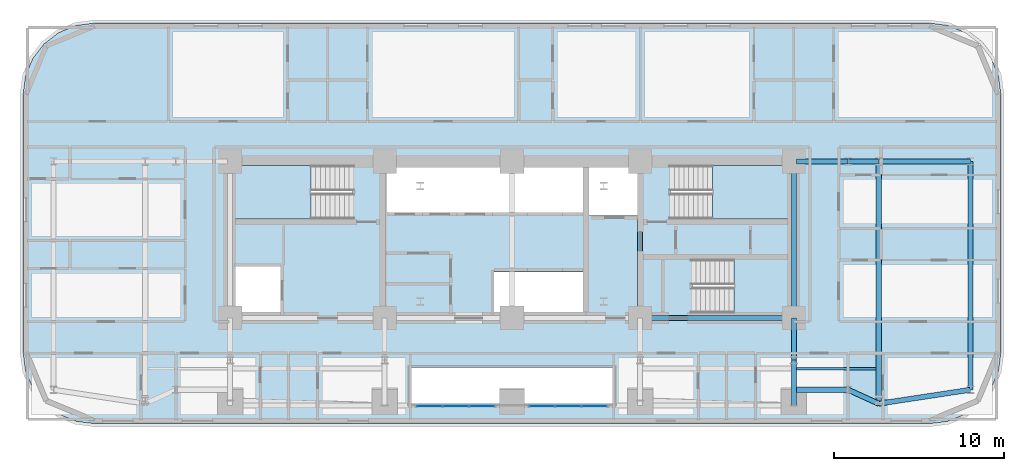
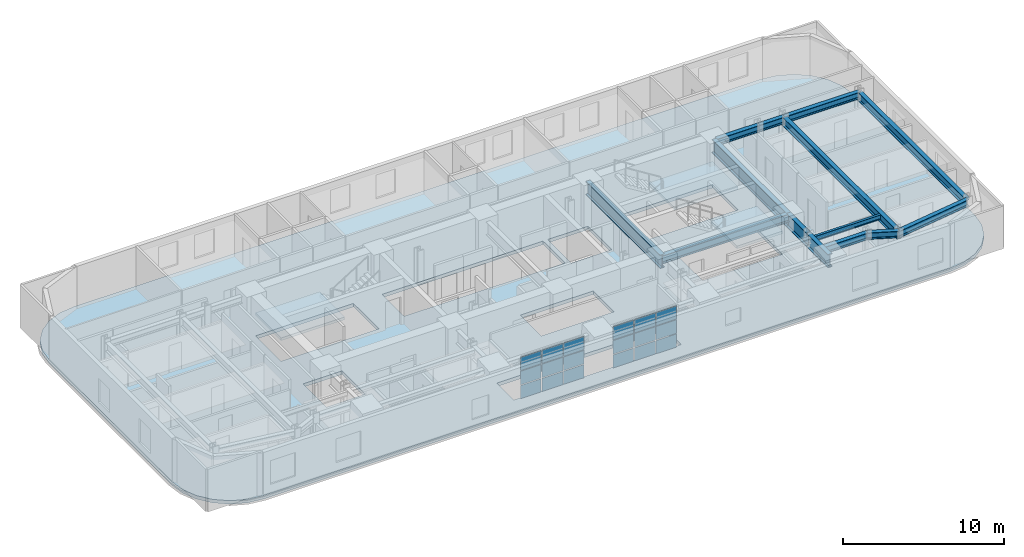
# One storey, part 5 of 15: 18 plates, 14 beams, 4 slabs, 5 elements without a shape of their own.
"""IFC4 building model written with IfcOpenShell, lengths in metres."""

from ifc_helpers import new_model, si_unit, direction, frame, origin, origin_2d, place, context, subcontext, project, spatial, polyline, rectangle, i_section, outline, extrude, material, layer, layer_set, material_profile, profile_set, type_object, element, aggregate, save


model = new_model("IFC4")

# Units and contexts
model_context = context("Model", 3, precision=1e-05, world=origin(), true_north=direction((0.0, 1.0)))
body_context = subcontext(model_context, "Body", "Model", "MODEL_VIEW")
ifc_project = project(units=[si_unit("LENGTHUNIT", "METRE"), si_unit("AREAUNIT", "SQUARE_METRE"), si_unit("VOLUMEUNIT", "CUBIC_METRE"), si_unit("PLANEANGLEUNIT", "RADIAN"), si_unit("MASSUNIT", "GRAM", prefix="KILO")], contexts=[model_context])

# Site, building, storey
site_placement = place(None, origin())
site = spatial("IfcSite", under=ifc_project, at=site_placement, CompositionType="ELEMENT")
building_placement = place(site_placement, origin())
building = spatial("IfcBuilding", under=site, at=building_placement, Name="Zarnavel Station Tower", CompositionType="ELEMENT")
storey_placement = place(building_placement, frame((0.0, 0.0, 36.0)))
storey = spatial("IfcBuildingStorey", under=building, at=storey_placement, Name="L09", CompositionType="ELEMENT", Elevation=36.0)

# Beams
ifc_material_1 = material(Name="Steel S355J2", Category="steel")
ifc_material_profile_1 = material_profile(ifc_material_1, i_section(OverallWidth=0.300048828125, OverallDepth=0.5, WebThickness=0.014404296875, FlangeThickness=0.028076171875, FilletRadius=0.027099609375, at=origin_2d()), Name="HEB500")
ifc_profile_set_1 = profile_set([ifc_material_profile_1], Name="Steel S355J2")
beam_type_1 = type_object("IfcBeamType", Name="FG_HEB500", PredefinedType="USERDEFINED", material=ifc_profile_set_1)
for number, where, z_axis, x_axis, name in (
    (1, (45.544921875, 23.60009765625, 2.989990234375), (1.0, 0.0, 0.0), (0.0, 1.0, 0.0), "L09 East Wing South Tie 1"),
    (2, (45.544921875, 37.050048828125, 2.989990234375), (1.0, 0.0, 0.0), (0.0, 1.0, 0.0), "L09 East Wing North Tie 1"),
):
    element("IfcBeam", number, at=place(storey_placement, frame(where, z_axis=z_axis, x_axis=x_axis)), inside=storey, type_object=beam_type_1, Name=name, ObjectType="GIRDER", PredefinedType="USERDEFINED", context=body_context, shape_type="SweptSolid", body=[
        extrude(i_section(OverallWidth=0.300048828125, OverallDepth=0.5, WebThickness=0.014404296875, FlangeThickness=0.028076171875, FilletRadius=0.027099609375, at=origin_2d()), origin(), (0.0, 0.0, 1.0), 3.05517578125),
    ])
beam_1_placement = place(storey_placement, frame((48.60009765625, 23.60009765625, 2.989990234375), z_axis=(0.909850112922, -0.414937069946, 0.0), x_axis=(0.414937069946, 0.909850112922, 0.0)))
element("IfcBeam", 3, at=beam_1_placement, inside=storey, type_object=beam_type_1, Name="L09 East Wing South Tie 2", ObjectType="GIRDER", PredefinedType="USERDEFINED", context=body_context, shape_type="SweptSolid", body=[
    extrude(i_section(OverallWidth=0.300048828125, OverallDepth=0.5, WebThickness=0.014404296875, FlangeThickness=0.028076171875, FilletRadius=0.027099609375, at=origin_2d()), origin(), (0.0, 0.0, 1.0), 1.97802734375),
])
beam_2_placement = place(storey_placement, frame((48.60009765625, 37.050048828125, 2.989990234375), z_axis=(1.0, 0.0, 0.0), x_axis=(0.0, 1.0, 0.0)))
element("IfcBeam", 4, at=beam_2_placement, inside=storey, type_object=beam_type_1, Name="L09 East Wing North Tie 2", ObjectType="GIRDER", PredefinedType="USERDEFINED", context=body_context, shape_type="SweptSolid", body=[
    extrude(i_section(OverallWidth=0.300048828125, OverallDepth=0.5, WebThickness=0.014404296875, FlangeThickness=0.028076171875, FilletRadius=0.027099609375, at=origin_2d()), origin(), (0.0, 0.0, 1.0), 1.7998046875),
])
beam_3_placement = place(storey_placement, frame((50.39990234375, 22.779296875, 2.989990234375), z_axis=(0.988644979737, 0.150270103616, 0.0), x_axis=(-0.150270103616, 0.988644979737, 0.0)))
element("IfcBeam", 5, at=beam_3_placement, inside=storey, type_object=beam_type_1, Name="L09 East Wing South Tie 3", ObjectType="GIRDER", PredefinedType="USERDEFINED", context=body_context, shape_type="SweptSolid", body=[
    extrude(i_section(OverallWidth=0.300048828125, OverallDepth=0.5, WebThickness=0.014404296875, FlangeThickness=0.028076171875, FilletRadius=0.027099609375, at=origin_2d()), origin(), (0.0, 0.0, 1.0), 5.462158203125),
])
beam_4_placement = place(storey_placement, frame((50.39990234375, 37.050048828125, 2.989990234375), z_axis=(1.0, 0.0, 0.0), x_axis=(0.0, 1.0, 0.0)))
element("IfcBeam", 6, at=beam_4_placement, inside=storey, type_object=beam_type_1, Name="L09 East Wing North Tie 3", ObjectType="GIRDER", PredefinedType="USERDEFINED", context=body_context, shape_type="SweptSolid", body=[
    extrude(i_section(OverallWidth=0.300048828125, OverallDepth=0.5, WebThickness=0.014404296875, FlangeThickness=0.028076171875, FilletRadius=0.027099609375, at=origin_2d()), origin(), (0.0, 0.0, 1.0), 5.400146484375),
])
ifc_material_2 = material(Name="Steel S355J2", Category="steel")
ifc_material_profile_2 = material_profile(ifc_material_2, i_section(OverallWidth=0.300048828125, OverallDepth=0.60009765625, WebThickness=0.015380859375, FlangeThickness=0.030029296875, FilletRadius=0.027099609375, at=origin_2d()), Name="HEB600")
ifc_profile_set_2 = profile_set([ifc_material_profile_2], Name="Steel S355J2")
beam_type_2 = type_object("IfcBeamType", Name="FG_HEB600", PredefinedType="USERDEFINED", material=ifc_profile_set_2)
beam_5_placement = place(storey_placement, frame((36.35009765625, 27.820068359375, 2.93994140625), z_axis=(1.0, 0.0, 0.0), x_axis=(0.0, 1.0, 0.0)))
element("IfcBeam", 7, at=beam_5_placement, inside=storey, type_object=beam_type_2, Name="L09 Core Front Coupling Beam 4", ObjectType="GIRDER", PredefinedType="USERDEFINED", context=body_context, shape_type="SweptSolid", body=[
    extrude(i_section(OverallWidth=0.300048828125, OverallDepth=0.60009765625, WebThickness=0.015380859375, FlangeThickness=0.030029296875, FilletRadius=0.027099609375, at=origin_2d()), origin(), (0.0, 0.0, 1.0), 9.0498046875),
])
ifc_material_3 = material(Name="Steel S355J2", Category="steel")
ifc_material_profile_3 = material_profile(ifc_material_3, i_section(OverallWidth=0.300048828125, OverallDepth=0.64990234375, WebThickness=0.01611328125, FlangeThickness=0.031005859375, FilletRadius=0.027099609375, at=origin_2d()), Name="HEB650")
ifc_profile_set_3 = profile_set([ifc_material_profile_3], Name="Steel S355J2")
beam_type_3 = type_object("IfcBeamType", Name="FG_HEB650", PredefinedType="USERDEFINED", material=ifc_profile_set_3)
beam_6_placement = place(storey_placement, frame((50.39990234375, 22.779296875, 2.9150390625), z_axis=(0.0, 1.0, 0.0), x_axis=(-1.0, 0.0, 0.0)))
element("IfcBeam", 8, at=beam_6_placement, inside=storey, type_object=beam_type_3, Name="L09 Wing NS Girder 3", ObjectType="GIRDER", PredefinedType="USERDEFINED", context=body_context, shape_type="SweptSolid", body=[
    extrude(i_section(OverallWidth=0.300048828125, OverallDepth=0.64990234375, WebThickness=0.01611328125, FlangeThickness=0.031005859375, FilletRadius=0.027099609375, at=origin_2d()), origin(), (0.0, 0.0, 1.0), 14.270751953125),
])
beam_7_placement = place(storey_placement, frame((55.800048828125, 23.60009765625, 2.9150390625), z_axis=(0.0, 1.0, 0.0), x_axis=(-1.0, 0.0, 0.0)))
element("IfcBeam", 9, at=beam_7_placement, inside=storey, type_object=beam_type_3, Name="L09 Wing NS Girder 4", ObjectType="GIRDER", PredefinedType="USERDEFINED", context=body_context, shape_type="SweptSolid", body=[
    extrude(i_section(OverallWidth=0.300048828125, OverallDepth=0.64990234375, WebThickness=0.01611328125, FlangeThickness=0.031005859375, FilletRadius=0.027099609375, at=origin_2d()), origin(), (0.0, 0.0, 1.0), 13.449951171875),
])
ifc_material_4 = material(Name="Steel S355J2", Category="steel")
ifc_material_profile_4 = material_profile(ifc_material_4, i_section(OverallWidth=0.169921875, OverallDepth=0.360107421875, WebThickness=0.008056640625, FlangeThickness=0.0126953125, FilletRadius=0.01806640625, at=origin_2d()), Name="IPE360")
ifc_profile_set_4 = profile_set([ifc_material_profile_4], Name="Steel S355J2")
beam_type_4 = type_object("IfcBeamType", Name="FJ_IPE360", PredefinedType="JOIST", material=ifc_profile_set_4)
beam_8_placement = place(storey_placement, frame((45.544921875, 24.8408203125, 3.06005859375), z_axis=(1.0, 0.0, 0.0), x_axis=(0.0, 1.0, 0.0)))
element("IfcBeam", 10, at=beam_8_placement, inside=storey, type_object=beam_type_4, Name="L09 East Wing Joist 2", PredefinedType="JOIST", context=body_context, shape_type="SweptSolid", body=[
    extrude(i_section(OverallWidth=0.169921875, OverallDepth=0.360107421875, WebThickness=0.008056640625, FlangeThickness=0.0126953125, FilletRadius=0.01806640625, at=origin_2d()), origin(), (0.0, 0.0, 1.0), 4.7099609375),
])
ifc_material_5 = material(Name="Steel S460M", Category="steel")
ifc_material_profile_5 = material_profile(ifc_material_5, i_section(OverallWidth=0.302001953125, OverallDepth=1.008056640625, WebThickness=0.02099609375, FlangeThickness=0.0400390625, FilletRadius=0.030029296875, at=origin_2d()), Name="HEM1000")
ifc_profile_set_5 = profile_set([ifc_material_profile_5], Name="Steel S460M")
beam_type_5 = type_object("IfcBeamType", Name="TG_HEM1000", PredefinedType="USERDEFINED", material=ifc_profile_set_5)
for number, where, z_axis, x_axis, name in (
    (11, (36.35009765625, 27.820068359375, 2.736083984375), (0.0, 1.0, 0.0), (-1.0, 0.0, 0.0), "L09 Core Spine Coupling Girder 4"),
    (12, (45.39990234375, 27.820068359375, 2.736083984375), (0.0, 1.0, 0.0), (-1.0, 0.0, 0.0), "L09 Core Spine Coupling Girder 5"),
):
    element("IfcBeam", number, at=place(storey_placement, frame(where, z_axis=z_axis, x_axis=x_axis)), inside=storey, type_object=beam_type_5, Name=name, ObjectType="GIRDER", PredefinedType="USERDEFINED", context=body_context, shape_type="SweptSolid", body=[
        extrude(i_section(OverallWidth=0.302001953125, OverallDepth=1.008056640625, WebThickness=0.02099609375, FlangeThickness=0.0400390625, FilletRadius=0.030029296875, at=origin_2d()), origin(), (0.0, 0.0, 1.0), 9.22998046875),
    ])
beam_9_placement = place(storey_placement, frame((45.39990234375, 22.672119140625, 2.736083984375), z_axis=(0.0, 1.0, 0.0), x_axis=(-1.0, 0.0, 0.0)))
element("IfcBeam", 13, at=beam_9_placement, inside=storey, type_object=beam_type_5, Name="L09 South-Zone NS Girder 5", ObjectType="GIRDER", PredefinedType="USERDEFINED", context=body_context, shape_type="SweptSolid", body=[
    extrude(i_section(OverallWidth=0.302001953125, OverallDepth=1.008056640625, WebThickness=0.02099609375, FlangeThickness=0.0400390625, FilletRadius=0.030029296875, at=origin_2d()), origin(), (0.0, 0.0, 1.0), 2.677978515625),
])
beam_10_placement = place(storey_placement, frame((45.39990234375, 25.35009765625, 2.736083984375), z_axis=(0.0, 1.0, 0.0), x_axis=(-1.0, 0.0, 0.0)))
element("IfcBeam", 14, at=beam_10_placement, inside=storey, type_object=beam_type_5, Name="L09 Inner-Zone NS Girder 5", ObjectType="GIRDER", PredefinedType="USERDEFINED", context=body_context, shape_type="SweptSolid", body=[
    extrude(i_section(OverallWidth=0.302001953125, OverallDepth=1.008056640625, WebThickness=0.02099609375, FlangeThickness=0.0400390625, FilletRadius=0.030029296875, at=origin_2d()), origin(), (0.0, 0.0, 1.0), 2.469970703125),
])

# Curtain wall, plates
ifc_material_6 = material(Name="Aluminium Dark Anodised and Solar-Control Glass", Category="aluminium")
ifc_layer_1 = layer(ifc_material_6, 0.179931640625)
ifc_layer_set_1 = layer_set([ifc_layer_1], Name="CWS2")
curtain_wall_type = type_object("IfcCurtainWallType", Name="CWS2", PredefinedType="NOTDEFINED", material=ifc_layer_set_1)
curtain_wall_1_placement = place(storey_placement, origin())
curtain_wall_1 = element("IfcCurtainWall", 15, at=curtain_wall_1_placement, inside=storey, type_object=curtain_wall_type, Name="L09 Curtain Wall CWS2-L09-AS-S1", PredefinedType="NOTDEFINED")
ifc_material_7 = material(Name="Double Low-E Dark Solar-Control Glass", Category="glass")
ifc_layer_2 = layer(ifc_material_7, 0.028076171875)
ifc_layer_set_2 = layer_set([ifc_layer_2], Name="CWS2_PNL")
plate_type = type_object("IfcPlateType", Name="CWS2_PNL", PredefinedType="CURTAIN_PANEL", material=ifc_layer_set_2)
plate_1_placement = place(storey_placement, frame((23.943359375, 22.64990234375, 0.06005859375), z_axis=(0.0, 0.0, 1.0), x_axis=(1.0, 0.0, 0.0)))
plate_1 = element("IfcPlate", 16, at=plate_1_placement, type_object=plate_type, Name="CW2 panel 1.1", PredefinedType="CURTAIN_PANEL", context=body_context, shape_type="SweptSolid", body=[
    extrude(rectangle(XDim=1.466552734375, YDim=0.028076171875, at=origin_2d()), origin(), (0.0, 0.0, 1.0), 0.989990234375),
])
plate_2_placement = place(storey_placement, frame((23.943359375, 22.64990234375, 1.110107421875), z_axis=(0.0, 0.0, 1.0), x_axis=(1.0, 0.0, 0.0)))
plate_2 = element("IfcPlate", 17, at=plate_2_placement, type_object=plate_type, Name="CW2 panel 1.2", PredefinedType="CURTAIN_PANEL", context=body_context, shape_type="SweptSolid", body=[
    extrude(rectangle(XDim=1.466552734375, YDim=0.028076171875, at=origin_2d()), origin(), (0.0, 0.0, 1.0), 1.02001953125),
])
plate_3_placement = place(storey_placement, frame((23.943359375, 22.64990234375, 2.18994140625), z_axis=(0.0, 0.0, 1.0), x_axis=(1.0, 0.0, 0.0)))
plate_3 = element("IfcPlate", 18, at=plate_3_placement, type_object=plate_type, Name="CW2 panel 1.3", PredefinedType="CURTAIN_PANEL", context=body_context, shape_type="SweptSolid", body=[
    extrude(rectangle(XDim=1.466552734375, YDim=0.028076171875, at=origin_2d()), origin(), (0.0, 0.0, 1.0), 0.989990234375),
])
plate_4_placement = place(storey_placement, frame((25.485107421875, 22.64990234375, 0.06005859375), z_axis=(0.0, 0.0, 1.0), x_axis=(1.0, 0.0, 0.0)))
plate_4 = element("IfcPlate", 19, at=plate_4_placement, type_object=plate_type, Name="CW2 panel 2.1", PredefinedType="CURTAIN_PANEL", context=body_context, shape_type="SweptSolid", body=[
    extrude(rectangle(XDim=1.49658203125, YDim=0.028076171875, at=origin_2d()), origin(), (0.0, 0.0, 1.0), 0.989990234375),
])
plate_5_placement = place(storey_placement, frame((25.485107421875, 22.64990234375, 1.110107421875), z_axis=(0.0, 0.0, 1.0), x_axis=(1.0, 0.0, 0.0)))
plate_5 = element("IfcPlate", 20, at=plate_5_placement, type_object=plate_type, Name="CW2 panel 2.2", PredefinedType="CURTAIN_PANEL", context=body_context, shape_type="SweptSolid", body=[
    extrude(rectangle(XDim=1.49658203125, YDim=0.028076171875, at=origin_2d()), origin(), (0.0, 0.0, 1.0), 1.02001953125),
])
plate_6_placement = place(storey_placement, frame((25.485107421875, 22.64990234375, 2.18994140625), z_axis=(0.0, 0.0, 1.0), x_axis=(1.0, 0.0, 0.0)))
plate_6 = element("IfcPlate", 21, at=plate_6_placement, type_object=plate_type, Name="CW2 panel 2.3", PredefinedType="CURTAIN_PANEL", context=body_context, shape_type="SweptSolid", body=[
    extrude(rectangle(XDim=1.49658203125, YDim=0.028076171875, at=origin_2d()), origin(), (0.0, 0.0, 1.0), 0.989990234375),
])
plate_7_placement = place(storey_placement, frame((27.026611328125, 22.64990234375, 0.06005859375), z_axis=(0.0, 0.0, 1.0), x_axis=(1.0, 0.0, 0.0)))
plate_7 = element("IfcPlate", 22, at=plate_7_placement, type_object=plate_type, Name="CW2 panel 3.1", PredefinedType="CURTAIN_PANEL", context=body_context, shape_type="SweptSolid", body=[
    extrude(rectangle(XDim=1.466552734375, YDim=0.028076171875, at=origin_2d()), origin(), (0.0, 0.0, 1.0), 0.989990234375),
])
plate_8_placement = place(storey_placement, frame((27.026611328125, 22.64990234375, 1.110107421875), z_axis=(0.0, 0.0, 1.0), x_axis=(1.0, 0.0, 0.0)))
plate_8 = element("IfcPlate", 23, at=plate_8_placement, type_object=plate_type, Name="CW2 panel 3.2", PredefinedType="CURTAIN_PANEL", context=body_context, shape_type="SweptSolid", body=[
    extrude(rectangle(XDim=1.466552734375, YDim=0.028076171875, at=origin_2d()), origin(), (0.0, 0.0, 1.0), 1.02001953125),
])
plate_9_placement = place(storey_placement, frame((27.026611328125, 22.64990234375, 2.18994140625), z_axis=(0.0, 0.0, 1.0), x_axis=(1.0, 0.0, 0.0)))
plate_9 = element("IfcPlate", 24, at=plate_9_placement, type_object=plate_type, Name="CW2 panel 3.3", PredefinedType="CURTAIN_PANEL", context=body_context, shape_type="SweptSolid", body=[
    extrude(rectangle(XDim=1.466552734375, YDim=0.028076171875, at=origin_2d()), origin(), (0.0, 0.0, 1.0), 0.989990234375),
])
aggregate(curtain_wall_1, [plate_1, plate_2, plate_3, plate_4, plate_5, plate_6, plate_7, plate_8, plate_9])

curtain_wall_2_placement = place(storey_placement, origin())
curtain_wall_2 = element("IfcCurtainWall", 25, at=curtain_wall_2_placement, inside=storey, type_object=curtain_wall_type, Name="L09 Curtain Wall CWS2-L09-AS-S2", PredefinedType="NOTDEFINED")
plate_10_placement = place(storey_placement, frame((30.5732421875, 22.64990234375, 0.06005859375), z_axis=(0.0, 0.0, 1.0), x_axis=(1.0, 0.0, 0.0)))
plate_10 = element("IfcPlate", 26, at=plate_10_placement, type_object=plate_type, Name="CW2 panel 1.1", PredefinedType="CURTAIN_PANEL", context=body_context, shape_type="SweptSolid", body=[
    extrude(rectangle(XDim=1.466552734375, YDim=0.028076171875, at=origin_2d()), origin(), (0.0, 0.0, 1.0), 0.989990234375),
])
plate_11_placement = place(storey_placement, frame((30.5732421875, 22.64990234375, 1.110107421875), z_axis=(0.0, 0.0, 1.0), x_axis=(1.0, 0.0, 0.0)))
plate_11 = element("IfcPlate", 27, at=plate_11_placement, type_object=plate_type, Name="CW2 panel 1.2", PredefinedType="CURTAIN_PANEL", context=body_context, shape_type="SweptSolid", body=[
    extrude(rectangle(XDim=1.466552734375, YDim=0.028076171875, at=origin_2d()), origin(), (0.0, 0.0, 1.0), 1.02001953125),
])
plate_12_placement = place(storey_placement, frame((30.5732421875, 22.64990234375, 2.18994140625), z_axis=(0.0, 0.0, 1.0), x_axis=(1.0, 0.0, 0.0)))
plate_12 = element("IfcPlate", 28, at=plate_12_placement, type_object=plate_type, Name="CW2 panel 1.3", PredefinedType="CURTAIN_PANEL", context=body_context, shape_type="SweptSolid", body=[
    extrude(rectangle(XDim=1.466552734375, YDim=0.028076171875, at=origin_2d()), origin(), (0.0, 0.0, 1.0), 0.989990234375),
])
plate_13_placement = place(storey_placement, frame((32.114990234375, 22.64990234375, 0.06005859375), z_axis=(0.0, 0.0, 1.0), x_axis=(1.0, 0.0, 0.0)))
plate_13 = element("IfcPlate", 29, at=plate_13_placement, type_object=plate_type, Name="CW2 panel 2.1", PredefinedType="CURTAIN_PANEL", context=body_context, shape_type="SweptSolid", body=[
    extrude(rectangle(XDim=1.49658203125, YDim=0.028076171875, at=origin_2d()), origin(), (0.0, 0.0, 1.0), 0.989990234375),
])
plate_14_placement = place(storey_placement, frame((32.114990234375, 22.64990234375, 1.110107421875), z_axis=(0.0, 0.0, 1.0), x_axis=(1.0, 0.0, 0.0)))
plate_14 = element("IfcPlate", 30, at=plate_14_placement, type_object=plate_type, Name="CW2 panel 2.2", PredefinedType="CURTAIN_PANEL", context=body_context, shape_type="SweptSolid", body=[
    extrude(rectangle(XDim=1.49658203125, YDim=0.028076171875, at=origin_2d()), origin(), (0.0, 0.0, 1.0), 1.02001953125),
])
plate_15_placement = place(storey_placement, frame((32.114990234375, 22.64990234375, 2.18994140625), z_axis=(0.0, 0.0, 1.0), x_axis=(1.0, 0.0, 0.0)))
plate_15 = element("IfcPlate", 31, at=plate_15_placement, type_object=plate_type, Name="CW2 panel 2.3", PredefinedType="CURTAIN_PANEL", context=body_context, shape_type="SweptSolid", body=[
    extrude(rectangle(XDim=1.49658203125, YDim=0.028076171875, at=origin_2d()), origin(), (0.0, 0.0, 1.0), 0.989990234375),
])
plate_16_placement = place(storey_placement, frame((33.65673828125, 22.64990234375, 0.06005859375), z_axis=(0.0, 0.0, 1.0), x_axis=(1.0, 0.0, 0.0)))
plate_16 = element("IfcPlate", 32, at=plate_16_placement, type_object=plate_type, Name="CW2 panel 3.1", PredefinedType="CURTAIN_PANEL", context=body_context, shape_type="SweptSolid", body=[
    extrude(rectangle(XDim=1.466552734375, YDim=0.028076171875, at=origin_2d()), origin(), (0.0, 0.0, 1.0), 0.989990234375),
])
plate_17_placement = place(storey_placement, frame((33.65673828125, 22.64990234375, 1.110107421875), z_axis=(0.0, 0.0, 1.0), x_axis=(1.0, 0.0, 0.0)))
plate_17 = element("IfcPlate", 33, at=plate_17_placement, type_object=plate_type, Name="CW2 panel 3.2", PredefinedType="CURTAIN_PANEL", context=body_context, shape_type="SweptSolid", body=[
    extrude(rectangle(XDim=1.466552734375, YDim=0.028076171875, at=origin_2d()), origin(), (0.0, 0.0, 1.0), 1.02001953125),
])
plate_18_placement = place(storey_placement, frame((33.65673828125, 22.64990234375, 2.18994140625), z_axis=(0.0, 0.0, 1.0), x_axis=(1.0, 0.0, 0.0)))
plate_18 = element("IfcPlate", 34, at=plate_18_placement, type_object=plate_type, Name="CW2 panel 3.3", PredefinedType="CURTAIN_PANEL", context=body_context, shape_type="SweptSolid", body=[
    extrude(rectangle(XDim=1.466552734375, YDim=0.028076171875, at=origin_2d()), origin(), (0.0, 0.0, 1.0), 0.989990234375),
])
aggregate(curtain_wall_2, [plate_10, plate_11, plate_12, plate_13, plate_14, plate_15, plate_16, plate_17, plate_18])

# Slab
ifc_material_8 = material(Name="Concrete C45/55", Category="concrete")
ifc_layer_3 = layer(ifc_material_8, 0.260009765625)
ifc_layer_set_3 = layer_set([ifc_layer_3], Name="SL_FLR_260")
slab_type_1 = type_object("IfcSlabType", Name="SL_FLR_260", PredefinedType="FLOOR", material=ifc_layer_set_3)
slab_1_placement = place(storey_placement, frame((0.0, 0.0, -0.260009765625)))
element("IfcSlab", 35, at=slab_1_placement, inside=storey, type_object=slab_type_1, Name="L09 Structural Floor Slab", PredefinedType="FLOOR", context=body_context, shape_type="SweptSolid", body=[
    extrude(outline(polyline([(53.39990234375, 21.60009765625), (54.487060546875, 21.7431640625), (55.5, 22.16259765625), (56.369873046875, 22.830078125), (57.037353515625, 23.699951171875), (57.456787109375, 24.712890625), (57.60009765625, 25.800048828125), (57.60009765625, 41.0), (57.456787109375, 42.0869140625), (57.037353515625, 43.10009765625), (56.369873046875, 43.9697265625), (55.5, 44.63720703125), (54.487060546875, 45.056884765625), (53.39990234375, 45.199951171875), (4.199951171875, 45.199951171875), (3.113037109375, 45.056884765625), (2.10009765625, 44.63720703125), (1.230224609375, 43.9697265625), (0.562744140625, 43.10009765625), (0.14306640625, 42.0869140625), (0.0, 41.0), (0.0, 25.800048828125), (0.14306640625, 24.712890625), (0.562744140625, 23.699951171875), (1.230224609375, 22.830078125), (2.10009765625, 22.16259765625), (3.113037109375, 21.7431640625), (4.199951171875, 21.60009765625), (53.39990234375, 21.60009765625)]), holes=[polyline([(12.39990234375, 33.659912109375), (19.409912109375, 33.659912109375), (19.409912109375, 36.820068359375), (12.39990234375, 36.820068359375), (12.39990234375, 33.659912109375)]), polyline([(38.14990234375, 33.659912109375), (45.159912109375, 33.659912109375), (45.159912109375, 36.820068359375), (38.14990234375, 36.820068359375), (38.14990234375, 33.659912109375)]), polyline([(39.419921875, 28.1201171875), (45.14990234375, 28.1201171875), (45.14990234375, 31.280029296875), (39.419921875, 31.280029296875), (39.419921875, 28.1201171875)]), polyline([(12.35009765625, 27.949951171875), (15.14990234375, 27.949951171875), (15.14990234375, 30.85009765625), (12.35009765625, 30.85009765625), (12.35009765625, 27.949951171875)]), polyline([(33.320068359375, 33.85009765625), (36.2099609375, 33.85009765625), (36.2099609375, 36.780029296875), (33.320068359375, 36.780029296875), (33.320068359375, 33.85009765625)]), polyline([(21.449951171875, 34.050048828125), (32.97998046875, 34.050048828125), (32.97998046875, 36.780029296875), (21.449951171875, 36.780029296875), (21.449951171875, 34.050048828125)]), polyline([(27.75, 27.949951171875), (32.97998046875, 27.949951171875), (32.97998046875, 30.550048828125), (27.75, 30.550048828125), (27.75, 27.949951171875)]), polyline([(22.800048828125, 22.800048828125), (34.800048828125, 22.800048828125), (34.800048828125, 24.89990234375), (22.800048828125, 24.89990234375), (22.800048828125, 22.800048828125)])]), origin(), (0.0, 0.0, 1.0), 0.260009765625),
])

# Stair, slab
ifc_material_9 = material(Name="Concrete C45/55", Category="concrete")
stair_type = type_object("IfcStairType", Name="ST_CORE_150", PredefinedType="HALF_TURN_STAIR", material=ifc_material_9)
stair_1_placement = place(storey_placement, origin())
stair_1 = element("IfcStair", 36, at=stair_1_placement, inside=storey, type_object=stair_type, Name="L09 Core Exit Stair ST1", PredefinedType="HALF_TURN_STAIR")
ifc_material_10 = material(Name="Concrete C45/55", Category="concrete")
ifc_layer_4 = layer(ifc_material_10, 0.199951171875)
ifc_layer_set_4 = layer_set([ifc_layer_4], Name="SL_STAIR_LAND_200")
slab_type_2 = type_object("IfcSlabType", Name="SL_STAIR_LAND_200", PredefinedType="LANDING", material=ifc_layer_set_4)
slab_2_placement = place(storey_placement, frame((0.0, 0.0, 1.550048828125)))
slab_2 = element("IfcSlab", 37, at=slab_2_placement, type_object=slab_type_2, Name="ST1 landing 1", PredefinedType="LANDING", context=body_context, shape_type="SweptSolid", body=[
    extrude(outline(polyline([(16.9599609375, 36.820068359375), (12.39990234375, 36.820068359375), (12.39990234375, 33.659912109375), (16.9599609375, 33.659912109375), (16.9599609375, 36.820068359375)])), origin(), (0.0, 0.0, 1.0), 0.199951171875),
])
aggregate(stair_1, [slab_2])

stair_2_placement = place(storey_placement, origin())
stair_2 = element("IfcStair", 38, at=stair_2_placement, inside=storey, type_object=stair_type, Name="L09 Core Exit Stair ST2", PredefinedType="HALF_TURN_STAIR")
slab_3_placement = place(storey_placement, frame((0.0, 0.0, 1.550048828125)))
slab_3 = element("IfcSlab", 39, at=slab_3_placement, type_object=slab_type_2, Name="ST2 landing 1", PredefinedType="LANDING", context=body_context, shape_type="SweptSolid", body=[
    extrude(outline(polyline([(40.60009765625, 33.659912109375), (45.159912109375, 33.659912109375), (45.159912109375, 36.820068359375), (40.60009765625, 36.820068359375), (40.60009765625, 33.659912109375)])), origin(), (0.0, 0.0, 1.0), 0.199951171875),
])
aggregate(stair_2, [slab_3])

stair_3_placement = place(storey_placement, origin())
stair_3 = element("IfcStair", 40, at=stair_3_placement, inside=storey, type_object=stair_type, Name="L09 Core Exit Stair ST3", PredefinedType="HALF_TURN_STAIR")
slab_4_placement = place(storey_placement, frame((0.0, 0.0, 1.550048828125)))
slab_4 = element("IfcSlab", 41, at=slab_4_placement, type_object=slab_type_2, Name="ST3 landing 1", PredefinedType="LANDING", context=body_context, shape_type="SweptSolid", body=[
    extrude(outline(polyline([(41.8701171875, 28.1201171875), (45.14990234375, 28.1201171875), (45.14990234375, 31.280029296875), (41.8701171875, 31.280029296875), (41.8701171875, 28.1201171875)])), origin(), (0.0, 0.0, 1.0), 0.199951171875),
])
aggregate(stair_3, [slab_4])

save(model, "model.ifc")
